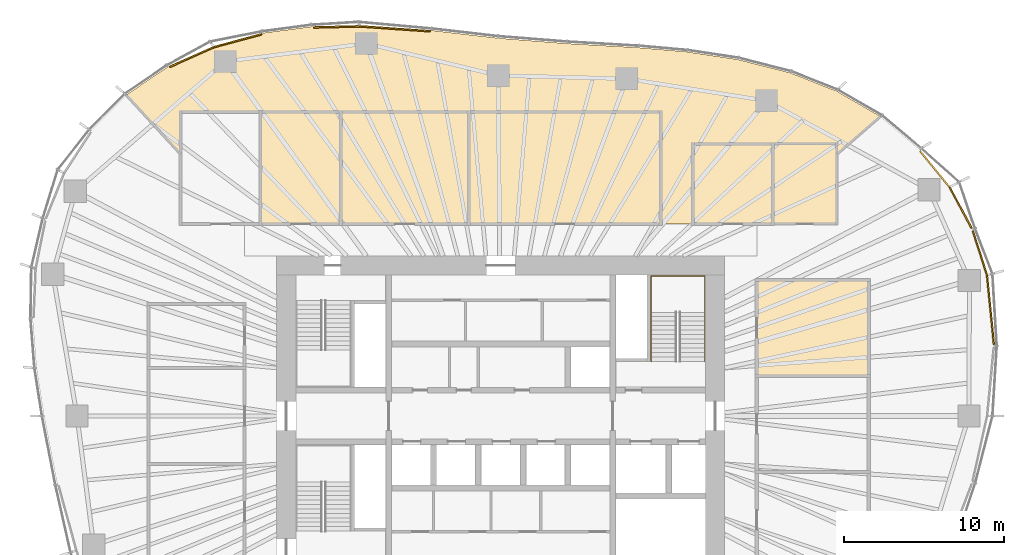
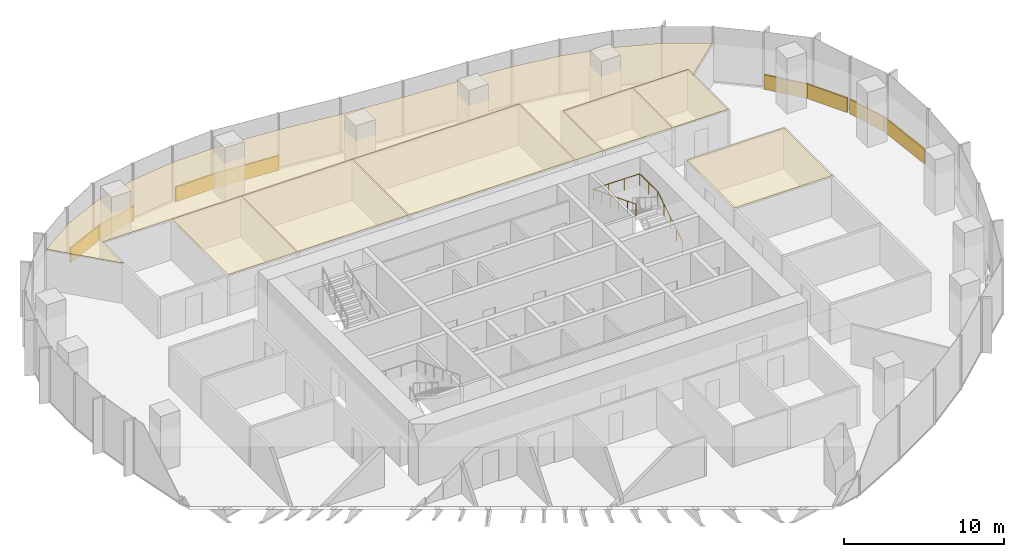
# One storey, part 18 of 18: 15 coverings, 1 railing.
"""IFC4 building model written with IfcOpenShell, lengths in metres."""

from ifc_helpers import new_model, si_unit, direction, frame, origin, origin_2d, place, context, subcontext, project, spatial, polyline, rectangle, circle, outline, extrude, material, layer, layer_set, type_object, element, save


model = new_model("IFC4")

# Units and contexts
model_context = context("Model", 3, precision=1e-05, world=origin(), true_north=direction((0.0, 1.0)))
body_context = subcontext(model_context, "Body", "Model", "MODEL_VIEW")
ifc_project = project(units=[si_unit("LENGTHUNIT", "METRE"), si_unit("AREAUNIT", "SQUARE_METRE"), si_unit("VOLUMEUNIT", "CUBIC_METRE"), si_unit("PLANEANGLEUNIT", "RADIAN"), si_unit("MASSUNIT", "GRAM", prefix="KILO")], contexts=[model_context])

# Site, building, storey
site_placement = place(None, origin())
site = spatial("IfcSite", under=ifc_project, at=site_placement, CompositionType="ELEMENT")
building_placement = place(site_placement, origin())
building = spatial("IfcBuilding", under=site, at=building_placement, Name="Ghaith Harvest Tower", CompositionType="ELEMENT")
storey_placement = place(building_placement, frame((0.0, 0.0, 176.39990234375)))
storey = spatial("IfcBuildingStorey", under=building, at=storey_placement, Name="L38", CompositionType="ELEMENT", Elevation=176.39990234375)

# Coverings
ifc_material_1 = material(Name="Mineral fibre ceiling tile", Category="gypsum")
ifc_layer_1 = layer(ifc_material_1, 0.02001953125)
ifc_layer_set_1 = layer_set([ifc_layer_1], Name="CEILING C1")
covering_type_1 = type_object("IfcCoveringType", Name="CEILING C1", PredefinedType="CEILING", material=ifc_layer_set_1)
covering_1_placement = place(storey_placement, frame((0.0, 0.0, 3.0)))
element("IfcCovering", 1, at=covering_1_placement, inside=storey, type_object=covering_type_1, Name="Ceiling L38-02", PredefinedType="CEILING", context=body_context, shape_type="SweptSolid", body=[
    extrude(outline(polyline([(-15.0, 12.0), (-10.0, 12.0), (-10.0, 19.0), (-15.0, 19.0), (-15.0, 12.0)])), origin(), (0.0, 0.0, 1.0), 0.02001953125),
])
covering_2_placement = place(storey_placement, frame((0.0, 0.0, 3.0)))
element("IfcCovering", 2, at=covering_2_placement, inside=storey, type_object=covering_type_1, Name="Ceiling L38-03", PredefinedType="CEILING", context=body_context, shape_type="SweptSolid", body=[
    extrude(outline(polyline([(-10.0, 12.0), (-2.0, 12.0), (-2.0, 19.0), (-10.0, 19.0), (-10.0, 12.0)])), origin(), (0.0, 0.0, 1.0), 0.02001953125),
])
covering_3_placement = place(storey_placement, frame((0.0, 0.0, 3.0)))
element("IfcCovering", 3, at=covering_3_placement, inside=storey, type_object=covering_type_1, Name="Ceiling L38-04", PredefinedType="CEILING", context=body_context, shape_type="SweptSolid", body=[
    extrude(outline(polyline([(-2.0, 12.0), (10.0, 12.0), (10.0, 19.0), (-2.0, 19.0), (-2.0, 12.0)])), origin(), (0.0, 0.0, 1.0), 0.02001953125),
])
covering_4_placement = place(storey_placement, frame((0.0, 0.0, 3.0)))
element("IfcCovering", 4, at=covering_4_placement, inside=storey, type_object=covering_type_1, Name="Ceiling L38-07", PredefinedType="CEILING", context=body_context, shape_type="SweptSolid", body=[
    extrude(outline(polyline([(16.0, 2.5), (23.0, 2.5), (23.0, 8.5), (16.0, 8.5), (16.0, 2.5)])), origin(), (0.0, 0.0, 1.0), 0.02001953125),
])
covering_5_placement = place(storey_placement, frame((0.0, 0.0, 3.0)))
element("IfcCovering", 5, at=covering_5_placement, inside=storey, type_object=covering_type_1, Name="Ceiling L38-17", PredefinedType="CEILING", context=body_context, shape_type="SweptSolid", body=[
    extrude(outline(polyline([(12.0, 12.0), (17.0, 12.0), (17.0, 17.0), (12.0, 17.0), (12.0, 12.0)])), origin(), (0.0, 0.0, 1.0), 0.02001953125),
])
covering_6_placement = place(storey_placement, frame((0.0, 0.0, 3.0)))
element("IfcCovering", 6, at=covering_6_placement, inside=storey, type_object=covering_type_1, Name="Ceiling L38-18", PredefinedType="CEILING", context=body_context, shape_type="SweptSolid", body=[
    extrude(outline(polyline([(17.0, 12.0), (21.0, 12.0), (21.0, 17.0), (17.0, 17.0), (17.0, 12.0)])), origin(), (0.0, 0.0, 1.0), 0.02001953125),
])
covering_7_placement = place(storey_placement, frame((0.0, 0.0, 3.0)))
element("IfcCovering", 7, at=covering_7_placement, inside=storey, type_object=covering_type_1, Name="Ceiling L38-N1", PredefinedType="CEILING", context=body_context, shape_type="SweptSolid", body=[
    extrude(outline(polyline([(-20.79248046875, 21.82470703125), (-17.938232421875, 23.097412109375), (-14.860595703125, 23.927978515625), (-11.788818359375, 24.331787109375), (-8.814208984375, 24.404541015625), (-4.302001953125, 24.089111328125), (-0.16162109375, 23.609619140625), (4.125732421875, 23.272705078125), (8.604736328125, 23.017333984375), (11.617919921875, 22.757080078125), (14.79833984375, 22.27978515625), (18.0849609375, 21.4462890625), (20.97998046875, 20.3056640625), (23.7275390625, 18.718017578125), (21.0, 16.3466796875), (21.0, 17.0), (12.0, 17.0), (12.0, 12.0), (10.0, 12.0), (10.0, 19.0), (-20.0, 19.0), (-20.0, 16.3583984375), (-23.398193359375, 20.06103515625), (-20.79248046875, 21.82470703125)])), origin(), (0.0, 0.0, 1.0), 0.02001953125),
])

# Railing
ifc_material_2 = material(Name="Steel, black powder-coated", Category="steel")
railing_type = type_object("IfcRailingType", Name="HANDRAIL HR1", PredefinedType="HANDRAIL", material=ifc_material_2)
railing_placement = place(storey_placement, frame((12.75, 3.39990234375, 0.175048828125)))
element("IfcRailing", 8, at=railing_placement, inside=storey, type_object=railing_type, Name="Handrail HR1 stair ST2 L38 wall side", PredefinedType="HANDRAIL", context=body_context, shape_type="SweptSolid", body=[
    extrude(circle(Radius=0.02392578125, at=origin_2d()), frame((0.0, 0.0, 0.8759765625), z_axis=(0.0, 0.847998304005, 0.529998940003), x_axis=(-1.0, 0.0, 0.0)), (0.0, 0.0, 1.0), 3.632080078125),
    extrude(circle(Radius=0.02392578125, at=origin_2d()), frame((0.0, 3.080078125, 2.80078125), z_axis=(0.0, 1.0, 0.0), x_axis=(-1.0, 0.0, 0.0)), (0.0, 0.0, 1.0), 2.27001953125),
    extrude(circle(Radius=0.02392578125, at=origin_2d()), frame((0.0, 5.35009765625, 2.80078125), z_axis=(-1.0, 0.0, 0.0), x_axis=(0.0, -1.0, 0.0)), (0.0, 0.0, 1.0), 3.35009765625),
    extrude(circle(Radius=0.02392578125, at=origin_2d()), frame((-3.35009765625, 5.35009765625, 2.80078125), z_axis=(0.0, -0.930853684876, 0.365392141887), x_axis=(1.0, 0.0, 0.0)), (0.0, 0.0, 1.0), 5.74755859375),
    extrude(circle(Radius=0.02099609375, at=origin_2d()), origin(), (0.0, 0.0, 1.0), 0.851806640625),
    extrude(circle(Radius=0.02099609375, at=origin_2d()), frame((0.0, 0.77001953125, 0.481201171875)), (0.0, 0.0, 1.0), 0.851806640625),
    extrude(circle(Radius=0.02099609375, at=origin_2d()), frame((0.0, 1.5400390625, 0.96240234375)), (0.0, 0.0, 1.0), 0.851806640625),
    extrude(circle(Radius=0.02099609375, at=origin_2d()), frame((0.0, 2.31005859375, 1.44384765625)), (0.0, 0.0, 1.0), 0.851806640625),
    extrude(circle(Radius=0.02099609375, at=origin_2d()), frame((0.0, 3.080078125, 1.925048828125)), (0.0, 0.0, 1.0), 0.851806640625),
    extrude(circle(Radius=0.02099609375, at=origin_2d()), frame((0.0, 4.215087890625, 1.925048828125)), (0.0, 0.0, 1.0), 0.851806640625),
    extrude(circle(Radius=0.02099609375, at=origin_2d()), frame((0.0, 5.35009765625, 1.925048828125)), (0.0, 0.0, 1.0), 0.851806640625),
    extrude(circle(Radius=0.02099609375, at=origin_2d()), frame((-1.11669921875, 5.35009765625, 1.925048828125)), (0.0, 0.0, 1.0), 0.851806640625),
    extrude(circle(Radius=0.02099609375, at=origin_2d()), frame((-2.2333984375, 5.35009765625, 1.925048828125)), (0.0, 0.0, 1.0), 0.851806640625),
    extrude(circle(Radius=0.02099609375, at=origin_2d()), frame((-3.35009765625, 5.35009765625, 1.925048828125)), (0.0, 0.0, 1.0), 0.851806640625),
    extrude(circle(Radius=0.02099609375, at=origin_2d()), frame((-3.35009765625, 4.280029296875, 2.344970703125)), (0.0, 0.0, 1.0), 0.851806640625),
    extrude(circle(Radius=0.02099609375, at=origin_2d()), frame((-3.35009765625, 3.2099609375, 2.76513671875)), (0.0, 0.0, 1.0), 0.851806640625),
    extrude(circle(Radius=0.02099609375, at=origin_2d()), frame((-3.35009765625, 2.14013671875, 3.18505859375)), (0.0, 0.0, 1.0), 0.851806640625),
    extrude(circle(Radius=0.02099609375, at=origin_2d()), frame((-3.35009765625, 1.070068359375, 3.605224609375)), (0.0, 0.0, 1.0), 0.851806640625),
    extrude(circle(Radius=0.02099609375, at=origin_2d()), frame((-3.35009765625, 0.0, 4.025146484375)), (0.0, 0.0, 1.0), 0.851806640625),
])

# Coverings
ifc_material_3 = material(Name="Insulated aluminium spandrel panel on steel framing", Category="steel")
ifc_layer_2 = layer(ifc_material_3, 0.10009765625)
ifc_layer_set_2 = layer_set([ifc_layer_2], Name="SLAB EDGE UPSTAND 1100x100")
covering_type_2 = type_object("IfcCoveringType", Name="SLAB EDGE UPSTAND 1100x100", PredefinedType="CLADDING", material=ifc_layer_set_2)
covering_8_placement = place(storey_placement, frame((30.604736328125, 6.630126953125, 0.0), z_axis=(0.0, 0.0, 1.0), x_axis=(-0.099131765681, 0.995074315332, 0.0)))
element("IfcCovering", 9, at=covering_8_placement, inside=storey, type_object=covering_type_2, Name="Slab edge upstand 2 bay 01 L38", PredefinedType="CLADDING", context=body_context, shape_type="SweptSolid", body=[
    extrude(rectangle(XDim=4.346435546875, YDim=0.10009765625, at=origin_2d()), origin(), (0.0, 0.0, 1.0), 1.10009765625),
])
covering_9_placement = place(storey_placement, frame((29.948486328125, 10.171875, 0.0), z_axis=(0.0, 0.0, 1.0), x_axis=(-0.303716894855, 0.952762324916, 0.0)))
element("IfcCovering", 10, at=covering_9_placement, inside=storey, type_object=covering_type_2, Name="Slab edge upstand 1 bay 02 L38", PredefinedType="CLADDING", context=body_context, shape_type="SweptSolid", body=[
    extrude(rectangle(XDim=2.916748046875, YDim=0.10009765625, at=origin_2d()), origin(), (0.0, 0.0, 1.0), 1.10009765625),
])
for number, where, z_axis, x_axis, name in (
    (11, (28.738037109375, 13.018798828125, 0.0), (0.0, 0.0, 1.0), (-0.475408661811, 0.87976508471, 0.0), "Slab edge upstand 2 bay 02 L38"),
    (12, (27.127197265625, 15.4228515625, 0.0), (0.0, 0.0, 1.0), (-0.632969558548, 0.774176683937, 0.0), "Slab edge upstand 3 bay 02 L38"),
):
    element("IfcCovering", number, at=place(storey_placement, frame(where, z_axis=z_axis, x_axis=x_axis)), inside=storey, type_object=covering_type_2, Name=name, PredefinedType="CLADDING", context=body_context, shape_type="SweptSolid", body=[
        extrude(rectangle(XDim=2.91650390625, YDim=0.10009765625, at=origin_2d()), origin(), (0.0, 0.0, 1.0), 1.10009765625),
    ])
covering_10_placement = place(storey_placement, frame((-6.611572265625, 24.200439453125, 0.0), z_axis=(0.0, 0.0, 1.0), x_axis=(-0.997566199698, 0.069725728542, 0.0)))
element("IfcCovering", 13, at=covering_10_placement, inside=storey, type_object=covering_type_2, Name="Slab edge upstand 2 bay 06 L38", PredefinedType="CLADDING", context=body_context, shape_type="SweptSolid", body=[
    extrude(rectangle(XDim=4.42333984375, YDim=0.10009765625, at=origin_2d()), origin(), (0.0, 0.0, 1.0), 1.10009765625),
])
covering_11_placement = place(storey_placement, frame((-10.25048828125, 24.3193359375, 0.0), z_axis=(0.0, 0.0, 1.0), x_axis=(-0.999700846757, -0.024458474865, 0.0)))
element("IfcCovering", 14, at=covering_11_placement, inside=storey, type_object=covering_type_2, Name="Slab edge upstand 1 bay 07 L38", PredefinedType="CLADDING", context=body_context, shape_type="SweptSolid", body=[
    extrude(rectangle(XDim=2.87548828125, YDim=0.10009765625, at=origin_2d()), origin(), (0.0, 0.0, 1.0), 1.10009765625),
])
covering_12_placement = place(storey_placement, frame((-16.4345703125, 23.451416015625, 0.0), z_axis=(0.0, 0.0, 1.0), x_axis=(-0.965455035926, -0.260569709685, 0.0)))
element("IfcCovering", 15, at=covering_12_placement, inside=storey, type_object=covering_type_2, Name="Slab edge upstand 3 bay 07 L38", PredefinedType="CLADDING", context=body_context, shape_type="SweptSolid", body=[
    extrude(rectangle(XDim=3.087890625, YDim=0.10009765625, at=origin_2d()), origin(), (0.0, 0.0, 1.0), 1.10009765625),
])
covering_13_placement = place(storey_placement, frame((-19.29931640625, 22.435791015625, 0.0), z_axis=(0.0, 0.0, 1.0), x_axis=(-0.913334621001, -0.40720986, 0.0)))
element("IfcCovering", 16, at=covering_13_placement, inside=storey, type_object=covering_type_2, Name="Slab edge upstand 1 bay 08 L38", PredefinedType="CLADDING", context=body_context, shape_type="SweptSolid", body=[
    extrude(rectangle(XDim=3.025146484375, YDim=0.10009765625, at=origin_2d()), origin(), (0.0, 0.0, 1.0), 1.10009765625),
])

save(model, "model.ifc")
